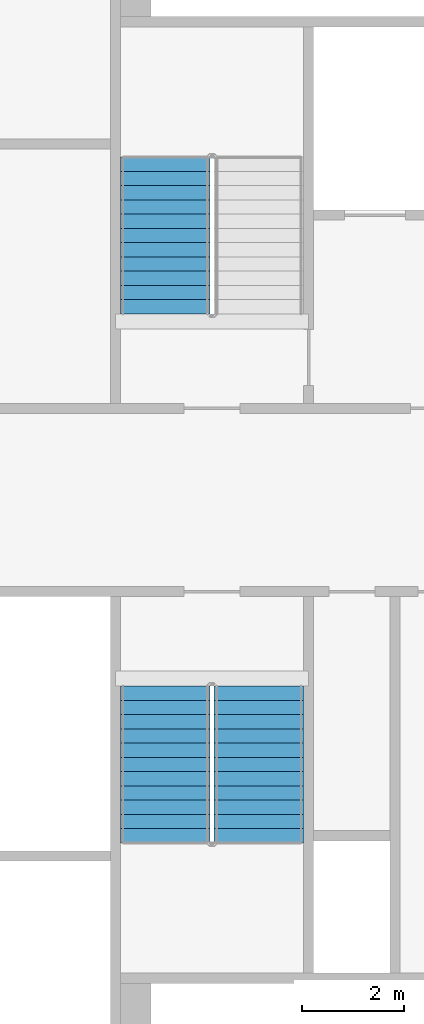
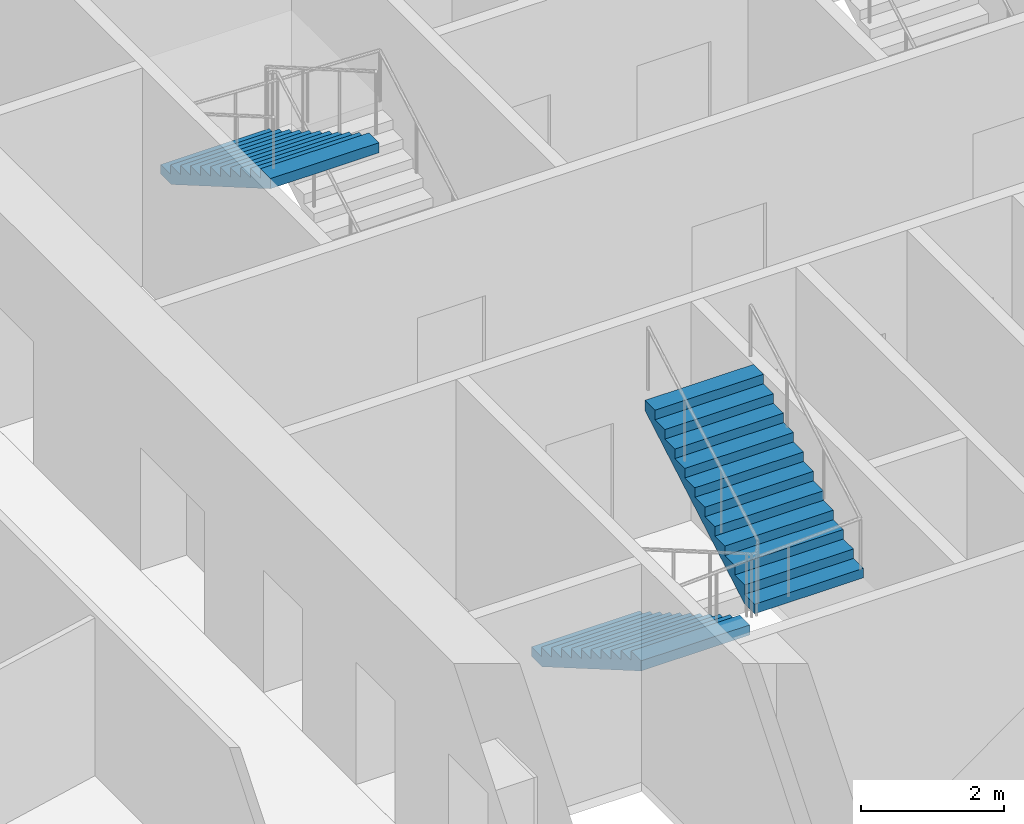
# One storey, part 8 of 16: 3 stair flights, 2 elements without a shape of their own.
"""IFC4 building model written with IfcOpenShell, lengths in metres."""

from ifc_helpers import new_model, si_unit, direction, frame, origin, place, context, subcontext, project, spatial, faceted_brep, material, type_object, element, aggregate, save


model = new_model("IFC4")

# Units and contexts
model_context = context("Model", 3, precision=1e-05, world=origin(), true_north=direction((0.0, 1.0)))
body_context = subcontext(model_context, "Body", "Model", "MODEL_VIEW")
ifc_project = project(units=[si_unit("LENGTHUNIT", "METRE"), si_unit("AREAUNIT", "SQUARE_METRE"), si_unit("VOLUMEUNIT", "CUBIC_METRE"), si_unit("PLANEANGLEUNIT", "RADIAN"), si_unit("MASSUNIT", "GRAM", prefix="KILO")], contexts=[model_context])

# Site, building, storey
site_placement = place(None, origin())
site = spatial("IfcSite", under=ifc_project, at=site_placement, CompositionType="ELEMENT")
building_placement = place(site_placement, origin())
building = spatial("IfcBuilding", under=site, at=building_placement, Name="Tarsis Ring Headquarters", CompositionType="ELEMENT")
storey_placement = place(building_placement, frame((0.0, 0.0, 112.300048828125)))
storey = spatial("IfcBuildingStorey", under=building, at=storey_placement, Name="L25", CompositionType="ELEMENT", Elevation=112.300048828125)

# Stair, stair flight
ifc_material_1 = material(Name="Core stair 1760")
stair_type = type_object("IfcStairType", Name="Core stair 1760", PredefinedType="HALF_TURN_STAIR", material=ifc_material_1)
stair_1_placement = place(storey_placement, origin())
stair_1 = element("IfcStair", 1, at=stair_1_placement, inside=storey, type_object=stair_type, Name="L25 Firefighting stair", PredefinedType="HALF_TURN_STAIR")
ifc_material_2 = material(Name="Concrete C40/50", Category="concrete")
stair_flight_type = type_object("IfcStairFlightType", Name="Core stair flight 1760", PredefinedType="STRAIGHT", material=ifc_material_2)
stair_flight_1_placement = place(storey_placement, frame((-5.419921875, 6.739990234375, 1.949951171875), z_axis=(0.0, 0.0, 1.0), x_axis=(0.0, -1.0, 0.0)))
stair_flight_1 = element("IfcStairFlight", 2, at=stair_flight_1_placement, type_object=stair_flight_type, Name="Stair ST1 flight 2", NumberOfRisers=12, NumberOfTreads=11, PredefinedType="STRAIGHT", RiserHeight=0.1625, TreadLength=0.28, context=body_context, shape_type="Brep", body=[
    faceted_brep([(0.0, 0.8798828125, 0.0), (0.0, 0.8798828125, 0.16259765625), (0.280029296875, 0.8798828125, 0.16259765625), (0.280029296875, 0.8798828125, 0.324951171875), (0.56005859375, 0.8798828125, 0.324951171875), (0.56005859375, 0.8798828125, 0.487548828125), (0.840087890625, 0.8798828125, 0.487548828125), (0.840087890625, 0.8798828125, 0.64990234375), (1.1201171875, 0.8798828125, 0.64990234375), (1.1201171875, 0.8798828125, 0.8125), (1.39990234375, 0.8798828125, 0.8125), (1.39990234375, 0.8798828125, 0.97509765625), (1.679931640625, 0.8798828125, 0.97509765625), (1.679931640625, 0.8798828125, 1.137451171875), (1.9599609375, 0.8798828125, 1.137451171875), (1.9599609375, 0.8798828125, 1.300048828125), (2.239990234375, 0.8798828125, 1.300048828125), (2.239990234375, 0.8798828125, 1.46240234375), (2.52001953125, 0.8798828125, 1.46240234375), (2.52001953125, 0.8798828125, 1.625), (2.800048828125, 0.8798828125, 1.625), (2.800048828125, 0.8798828125, 1.78759765625), (3.080078125, 0.8798828125, 1.78759765625), (3.080078125, 0.8798828125, 1.6142578125), (0.298583984375, 0.8798828125, 0.0), (0.298583984375, -0.8798828125, 0.0), (3.080078125, -0.8798828125, 1.6142578125), (3.080078125, -0.8798828125, 1.78759765625), (2.800048828125, -0.8798828125, 1.78759765625), (2.800048828125, -0.8798828125, 1.625), (2.52001953125, -0.8798828125, 1.625), (2.52001953125, -0.8798828125, 1.46240234375), (2.239990234375, -0.8798828125, 1.46240234375), (2.239990234375, -0.8798828125, 1.300048828125), (1.9599609375, -0.8798828125, 1.300048828125), (1.9599609375, -0.8798828125, 1.137451171875), (1.679931640625, -0.8798828125, 1.137451171875), (1.679931640625, -0.8798828125, 0.97509765625), (1.39990234375, -0.8798828125, 0.97509765625), (1.39990234375, -0.8798828125, 0.8125), (1.1201171875, -0.8798828125, 0.8125), (1.1201171875, -0.8798828125, 0.64990234375), (0.840087890625, -0.8798828125, 0.64990234375), (0.840087890625, -0.8798828125, 0.487548828125), (0.56005859375, -0.8798828125, 0.487548828125), (0.56005859375, -0.8798828125, 0.324951171875), (0.280029296875, -0.8798828125, 0.324951171875), (0.280029296875, -0.8798828125, 0.16259765625), (0.0, -0.8798828125, 0.16259765625), (0.0, -0.8798828125, 0.0), (0.0, -0.43994140625, 0.16259765625), (0.0, -0.43994140625, 0.0), (0.0, 0.0, 0.16259765625), (0.0, 0.0, 0.0), (0.0, 0.43994140625, 0.16259765625), (0.0, 0.43994140625, 0.0), (0.280029296875, -0.43994140625, 0.16259765625), (0.280029296875, 0.0, 0.16259765625), (0.280029296875, 0.43994140625, 0.16259765625), (0.280029296875, -0.43994140625, 0.324951171875), (0.280029296875, 0.0, 0.324951171875), (0.280029296875, 0.43994140625, 0.324951171875), (0.56005859375, -0.43994140625, 0.324951171875), (0.56005859375, 0.0, 0.324951171875), (0.56005859375, 0.43994140625, 0.324951171875), (0.56005859375, -0.43994140625, 0.487548828125), (0.56005859375, 0.0, 0.487548828125), (0.56005859375, 0.43994140625, 0.487548828125), (0.840087890625, -0.43994140625, 0.487548828125), (0.840087890625, 0.0, 0.487548828125), (0.840087890625, 0.43994140625, 0.487548828125), (0.840087890625, -0.43994140625, 0.64990234375), (0.840087890625, 0.0, 0.64990234375), (0.840087890625, 0.43994140625, 0.64990234375), (1.1201171875, -0.43994140625, 0.64990234375), (1.1201171875, 0.0, 0.64990234375), (1.1201171875, 0.43994140625, 0.64990234375), (1.1201171875, -0.43994140625, 0.8125), (1.1201171875, 0.0, 0.8125), (1.1201171875, 0.43994140625, 0.8125), (1.39990234375, -0.43994140625, 0.8125), (1.39990234375, 0.0, 0.8125), (1.39990234375, 0.43994140625, 0.8125), (1.39990234375, -0.43994140625, 0.97509765625), (1.39990234375, 0.0, 0.97509765625), (1.39990234375, 0.43994140625, 0.97509765625), (1.679931640625, -0.43994140625, 0.97509765625), (1.679931640625, 0.0, 0.97509765625), (1.679931640625, 0.43994140625, 0.97509765625), (1.679931640625, -0.43994140625, 1.137451171875), (1.679931640625, 0.0, 1.137451171875), (1.679931640625, 0.43994140625, 1.137451171875), (1.9599609375, -0.43994140625, 1.137451171875), (1.9599609375, 0.0, 1.137451171875), (1.9599609375, 0.43994140625, 1.137451171875), (1.9599609375, -0.43994140625, 1.300048828125), (1.9599609375, 0.0, 1.300048828125), (1.9599609375, 0.43994140625, 1.300048828125), (2.239990234375, -0.43994140625, 1.300048828125), (2.239990234375, 0.0, 1.300048828125), (2.239990234375, 0.43994140625, 1.300048828125), (2.239990234375, -0.43994140625, 1.46240234375), (2.239990234375, 0.0, 1.46240234375), (2.239990234375, 0.43994140625, 1.46240234375), (2.52001953125, -0.43994140625, 1.46240234375), (2.52001953125, 0.0, 1.46240234375), (2.52001953125, 0.43994140625, 1.46240234375), (2.52001953125, -0.43994140625, 1.625), (2.52001953125, 0.0, 1.625), (2.52001953125, 0.43994140625, 1.625), (2.800048828125, -0.43994140625, 1.625), (2.800048828125, 0.0, 1.625), (2.800048828125, 0.43994140625, 1.625), (2.800048828125, -0.43994140625, 1.78759765625), (2.800048828125, 0.0, 1.78759765625), (2.800048828125, 0.43994140625, 1.78759765625), (3.080078125, -0.43994140625, 1.78759765625), (3.080078125, 0.0, 1.78759765625), (3.080078125, 0.43994140625, 1.78759765625), (3.080078125, -0.43994140625, 1.6142578125), (3.080078125, 0.0, 1.6142578125), (3.080078125, 0.43994140625, 1.6142578125), (0.298583984375, -0.43994140625, 0.0), (0.298583984375, 0.0, 0.0), (0.298583984375, 0.43994140625, 0.0)], [[[0, 1, 2, 3, 4, 5, 6, 7, 8, 9, 10, 11, 12, 13, 14, 15, 16, 17, 18, 19, 20, 21, 22, 23, 24]], [[25, 26, 27, 28, 29, 30, 31, 32, 33, 34, 35, 36, 37, 38, 39, 40, 41, 42, 43, 44, 45, 46, 47, 48, 49]], [[49, 48, 50, 51]], [[51, 50, 52, 53]], [[53, 52, 54, 55]], [[55, 54, 1, 0]], [[48, 47, 56, 50]], [[50, 56, 57, 52]], [[52, 57, 58, 54]], [[54, 58, 2, 1]], [[47, 46, 59, 56]], [[56, 59, 60, 57]], [[57, 60, 61, 58]], [[58, 61, 3, 2]], [[46, 45, 62, 59]], [[59, 62, 63, 60]], [[60, 63, 64, 61]], [[61, 64, 4, 3]], [[45, 44, 65, 62]], [[62, 65, 66, 63]], [[63, 66, 67, 64]], [[64, 67, 5, 4]], [[44, 43, 68, 65]], [[65, 68, 69, 66]], [[66, 69, 70, 67]], [[67, 70, 6, 5]], [[43, 42, 71, 68]], [[68, 71, 72, 69]], [[69, 72, 73, 70]], [[70, 73, 7, 6]], [[42, 41, 74, 71]], [[71, 74, 75, 72]], [[72, 75, 76, 73]], [[73, 76, 8, 7]], [[41, 40, 77, 74]], [[74, 77, 78, 75]], [[75, 78, 79, 76]], [[76, 79, 9, 8]], [[40, 39, 80, 77]], [[77, 80, 81, 78]], [[78, 81, 82, 79]], [[79, 82, 10, 9]], [[39, 38, 83, 80]], [[80, 83, 84, 81]], [[81, 84, 85, 82]], [[82, 85, 11, 10]], [[38, 37, 86, 83]], [[83, 86, 87, 84]], [[84, 87, 88, 85]], [[85, 88, 12, 11]], [[37, 36, 89, 86]], [[86, 89, 90, 87]], [[87, 90, 91, 88]], [[88, 91, 13, 12]], [[36, 35, 92, 89]], [[89, 92, 93, 90]], [[90, 93, 94, 91]], [[91, 94, 14, 13]], [[35, 34, 95, 92]], [[92, 95, 96, 93]], [[93, 96, 97, 94]], [[94, 97, 15, 14]], [[34, 33, 98, 95]], [[95, 98, 99, 96]], [[96, 99, 100, 97]], [[97, 100, 16, 15]], [[33, 32, 101, 98]], [[98, 101, 102, 99]], [[99, 102, 103, 100]], [[100, 103, 17, 16]], [[32, 31, 104, 101]], [[101, 104, 105, 102]], [[102, 105, 106, 103]], [[103, 106, 18, 17]], [[31, 30, 107, 104]], [[104, 107, 108, 105]], [[105, 108, 109, 106]], [[106, 109, 19, 18]], [[30, 29, 110, 107]], [[107, 110, 111, 108]], [[108, 111, 112, 109]], [[109, 112, 20, 19]], [[29, 28, 113, 110]], [[110, 113, 114, 111]], [[111, 114, 115, 112]], [[112, 115, 21, 20]], [[28, 27, 116, 113]], [[113, 116, 117, 114]], [[114, 117, 118, 115]], [[115, 118, 22, 21]], [[27, 26, 119, 116]], [[116, 119, 120, 117]], [[117, 120, 121, 118]], [[118, 121, 23, 22]], [[26, 25, 122, 119]], [[119, 122, 123, 120]], [[120, 123, 124, 121]], [[121, 124, 24, 23]], [[25, 49, 51, 122]], [[122, 51, 53, 123]], [[123, 53, 55, 124]], [[124, 55, 0, 24]]]),
])
aggregate(stair_1, [stair_flight_1])

# Stair, stair flights
stair_2_placement = place(storey_placement, origin())
stair_2 = element("IfcStair", 3, at=stair_2_placement, inside=storey, type_object=stair_type, Name="L25 Exit stair C", PredefinedType="HALF_TURN_STAIR")
stair_flight_2_placement = place(storey_placement, frame((-5.419921875, -3.659912109375, 0.0), z_axis=(0.0, 0.0, 1.0), x_axis=(0.0, -1.0, 0.0)))
stair_flight_2 = element("IfcStairFlight", 4, at=stair_flight_2_placement, type_object=stair_flight_type, Name="Stair ST3 flight 1", NumberOfRisers=12, NumberOfTreads=11, PredefinedType="STRAIGHT", RiserHeight=0.1625, TreadLength=0.28, context=body_context, shape_type="Brep", body=[
    faceted_brep([(0.0, 0.8798828125, 0.0), (0.0, 0.8798828125, 0.16259765625), (0.280029296875, 0.8798828125, 0.16259765625), (0.280029296875, 0.8798828125, 0.324951171875), (0.56005859375, 0.8798828125, 0.324951171875), (0.56005859375, 0.8798828125, 0.487548828125), (0.840087890625, 0.8798828125, 0.487548828125), (0.840087890625, 0.8798828125, 0.64990234375), (1.1201171875, 0.8798828125, 0.64990234375), (1.1201171875, 0.8798828125, 0.8125), (1.39990234375, 0.8798828125, 0.8125), (1.39990234375, 0.8798828125, 0.97509765625), (1.679931640625, 0.8798828125, 0.97509765625), (1.679931640625, 0.8798828125, 1.137451171875), (1.9599609375, 0.8798828125, 1.137451171875), (1.9599609375, 0.8798828125, 1.300048828125), (2.239990234375, 0.8798828125, 1.300048828125), (2.239990234375, 0.8798828125, 1.46240234375), (2.52001953125, 0.8798828125, 1.46240234375), (2.52001953125, 0.8798828125, 1.625), (2.800048828125, 0.8798828125, 1.625), (2.800048828125, 0.8798828125, 1.78759765625), (3.080078125, 0.8798828125, 1.78759765625), (3.080078125, 0.8798828125, 1.6142578125), (0.298583984375, 0.8798828125, 0.0), (0.298583984375, -0.8798828125, 0.0), (3.080078125, -0.8798828125, 1.6142578125), (3.080078125, -0.8798828125, 1.78759765625), (2.800048828125, -0.8798828125, 1.78759765625), (2.800048828125, -0.8798828125, 1.625), (2.52001953125, -0.8798828125, 1.625), (2.52001953125, -0.8798828125, 1.46240234375), (2.239990234375, -0.8798828125, 1.46240234375), (2.239990234375, -0.8798828125, 1.300048828125), (1.9599609375, -0.8798828125, 1.300048828125), (1.9599609375, -0.8798828125, 1.137451171875), (1.679931640625, -0.8798828125, 1.137451171875), (1.679931640625, -0.8798828125, 0.97509765625), (1.39990234375, -0.8798828125, 0.97509765625), (1.39990234375, -0.8798828125, 0.8125), (1.1201171875, -0.8798828125, 0.8125), (1.1201171875, -0.8798828125, 0.64990234375), (0.840087890625, -0.8798828125, 0.64990234375), (0.840087890625, -0.8798828125, 0.487548828125), (0.56005859375, -0.8798828125, 0.487548828125), (0.56005859375, -0.8798828125, 0.324951171875), (0.280029296875, -0.8798828125, 0.324951171875), (0.280029296875, -0.8798828125, 0.16259765625), (0.0, -0.8798828125, 0.16259765625), (0.0, -0.8798828125, 0.0), (0.0, -0.43994140625, 0.16259765625), (0.0, -0.43994140625, 0.0), (0.0, 0.0, 0.16259765625), (0.0, 0.0, 0.0), (0.0, 0.43994140625, 0.16259765625), (0.0, 0.43994140625, 0.0), (0.280029296875, -0.43994140625, 0.16259765625), (0.280029296875, 0.0, 0.16259765625), (0.280029296875, 0.43994140625, 0.16259765625), (0.280029296875, -0.43994140625, 0.324951171875), (0.280029296875, 0.0, 0.324951171875), (0.280029296875, 0.43994140625, 0.324951171875), (0.56005859375, -0.43994140625, 0.324951171875), (0.56005859375, 0.0, 0.324951171875), (0.56005859375, 0.43994140625, 0.324951171875), (0.56005859375, -0.43994140625, 0.487548828125), (0.56005859375, 0.0, 0.487548828125), (0.56005859375, 0.43994140625, 0.487548828125), (0.840087890625, -0.43994140625, 0.487548828125), (0.840087890625, 0.0, 0.487548828125), (0.840087890625, 0.43994140625, 0.487548828125), (0.840087890625, -0.43994140625, 0.64990234375), (0.840087890625, 0.0, 0.64990234375), (0.840087890625, 0.43994140625, 0.64990234375), (1.1201171875, -0.43994140625, 0.64990234375), (1.1201171875, 0.0, 0.64990234375), (1.1201171875, 0.43994140625, 0.64990234375), (1.1201171875, -0.43994140625, 0.8125), (1.1201171875, 0.0, 0.8125), (1.1201171875, 0.43994140625, 0.8125), (1.39990234375, -0.43994140625, 0.8125), (1.39990234375, 0.0, 0.8125), (1.39990234375, 0.43994140625, 0.8125), (1.39990234375, -0.43994140625, 0.97509765625), (1.39990234375, 0.0, 0.97509765625), (1.39990234375, 0.43994140625, 0.97509765625), (1.679931640625, -0.43994140625, 0.97509765625), (1.679931640625, 0.0, 0.97509765625), (1.679931640625, 0.43994140625, 0.97509765625), (1.679931640625, -0.43994140625, 1.137451171875), (1.679931640625, 0.0, 1.137451171875), (1.679931640625, 0.43994140625, 1.137451171875), (1.9599609375, -0.43994140625, 1.137451171875), (1.9599609375, 0.0, 1.137451171875), (1.9599609375, 0.43994140625, 1.137451171875), (1.9599609375, -0.43994140625, 1.300048828125), (1.9599609375, 0.0, 1.300048828125), (1.9599609375, 0.43994140625, 1.300048828125), (2.239990234375, -0.43994140625, 1.300048828125), (2.239990234375, 0.0, 1.300048828125), (2.239990234375, 0.43994140625, 1.300048828125), (2.239990234375, -0.43994140625, 1.46240234375), (2.239990234375, 0.0, 1.46240234375), (2.239990234375, 0.43994140625, 1.46240234375), (2.52001953125, -0.43994140625, 1.46240234375), (2.52001953125, 0.0, 1.46240234375), (2.52001953125, 0.43994140625, 1.46240234375), (2.52001953125, -0.43994140625, 1.625), (2.52001953125, 0.0, 1.625), (2.52001953125, 0.43994140625, 1.625), (2.800048828125, -0.43994140625, 1.625), (2.800048828125, 0.0, 1.625), (2.800048828125, 0.43994140625, 1.625), (2.800048828125, -0.43994140625, 1.78759765625), (2.800048828125, 0.0, 1.78759765625), (2.800048828125, 0.43994140625, 1.78759765625), (3.080078125, -0.43994140625, 1.78759765625), (3.080078125, 0.0, 1.78759765625), (3.080078125, 0.43994140625, 1.78759765625), (3.080078125, -0.43994140625, 1.6142578125), (3.080078125, 0.0, 1.6142578125), (3.080078125, 0.43994140625, 1.6142578125), (0.298583984375, -0.43994140625, 0.0), (0.298583984375, 0.0, 0.0), (0.298583984375, 0.43994140625, 0.0)], [[[0, 1, 2, 3, 4, 5, 6, 7, 8, 9, 10, 11, 12, 13, 14, 15, 16, 17, 18, 19, 20, 21, 22, 23, 24]], [[25, 26, 27, 28, 29, 30, 31, 32, 33, 34, 35, 36, 37, 38, 39, 40, 41, 42, 43, 44, 45, 46, 47, 48, 49]], [[49, 48, 50, 51]], [[51, 50, 52, 53]], [[53, 52, 54, 55]], [[55, 54, 1, 0]], [[48, 47, 56, 50]], [[50, 56, 57, 52]], [[52, 57, 58, 54]], [[54, 58, 2, 1]], [[47, 46, 59, 56]], [[56, 59, 60, 57]], [[57, 60, 61, 58]], [[58, 61, 3, 2]], [[46, 45, 62, 59]], [[59, 62, 63, 60]], [[60, 63, 64, 61]], [[61, 64, 4, 3]], [[45, 44, 65, 62]], [[62, 65, 66, 63]], [[63, 66, 67, 64]], [[64, 67, 5, 4]], [[44, 43, 68, 65]], [[65, 68, 69, 66]], [[66, 69, 70, 67]], [[67, 70, 6, 5]], [[43, 42, 71, 68]], [[68, 71, 72, 69]], [[69, 72, 73, 70]], [[70, 73, 7, 6]], [[42, 41, 74, 71]], [[71, 74, 75, 72]], [[72, 75, 76, 73]], [[73, 76, 8, 7]], [[41, 40, 77, 74]], [[74, 77, 78, 75]], [[75, 78, 79, 76]], [[76, 79, 9, 8]], [[40, 39, 80, 77]], [[77, 80, 81, 78]], [[78, 81, 82, 79]], [[79, 82, 10, 9]], [[39, 38, 83, 80]], [[80, 83, 84, 81]], [[81, 84, 85, 82]], [[82, 85, 11, 10]], [[38, 37, 86, 83]], [[83, 86, 87, 84]], [[84, 87, 88, 85]], [[85, 88, 12, 11]], [[37, 36, 89, 86]], [[86, 89, 90, 87]], [[87, 90, 91, 88]], [[88, 91, 13, 12]], [[36, 35, 92, 89]], [[89, 92, 93, 90]], [[90, 93, 94, 91]], [[91, 94, 14, 13]], [[35, 34, 95, 92]], [[92, 95, 96, 93]], [[93, 96, 97, 94]], [[94, 97, 15, 14]], [[34, 33, 98, 95]], [[95, 98, 99, 96]], [[96, 99, 100, 97]], [[97, 100, 16, 15]], [[33, 32, 101, 98]], [[98, 101, 102, 99]], [[99, 102, 103, 100]], [[100, 103, 17, 16]], [[32, 31, 104, 101]], [[101, 104, 105, 102]], [[102, 105, 106, 103]], [[103, 106, 18, 17]], [[31, 30, 107, 104]], [[104, 107, 108, 105]], [[105, 108, 109, 106]], [[106, 109, 19, 18]], [[30, 29, 110, 107]], [[107, 110, 111, 108]], [[108, 111, 112, 109]], [[109, 112, 20, 19]], [[29, 28, 113, 110]], [[110, 113, 114, 111]], [[111, 114, 115, 112]], [[112, 115, 21, 20]], [[28, 27, 116, 113]], [[113, 116, 117, 114]], [[114, 117, 118, 115]], [[115, 118, 22, 21]], [[27, 26, 119, 116]], [[116, 119, 120, 117]], [[117, 120, 121, 118]], [[118, 121, 23, 22]], [[26, 25, 122, 119]], [[119, 122, 123, 120]], [[120, 123, 124, 121]], [[121, 124, 24, 23]], [[25, 49, 51, 122]], [[122, 51, 53, 123]], [[123, 53, 55, 124]], [[124, 55, 0, 24]]]),
])
stair_flight_3_placement = place(storey_placement, frame((-3.580078125, -6.739990234375, 1.949951171875), z_axis=(0.0, 0.0, 1.0), x_axis=(0.0, 1.0, 0.0)))
stair_flight_3 = element("IfcStairFlight", 5, at=stair_flight_3_placement, type_object=stair_flight_type, Name="Stair ST3 flight 2", NumberOfRisers=12, NumberOfTreads=11, PredefinedType="STRAIGHT", RiserHeight=0.1625, TreadLength=0.28, context=body_context, shape_type="Brep", body=[
    faceted_brep([(0.0, 0.8798828125, 0.0), (0.0, 0.8798828125, 0.16259765625), (0.280029296875, 0.8798828125, 0.16259765625), (0.280029296875, 0.8798828125, 0.324951171875), (0.56005859375, 0.8798828125, 0.324951171875), (0.56005859375, 0.8798828125, 0.487548828125), (0.840087890625, 0.8798828125, 0.487548828125), (0.840087890625, 0.8798828125, 0.64990234375), (1.1201171875, 0.8798828125, 0.64990234375), (1.1201171875, 0.8798828125, 0.8125), (1.39990234375, 0.8798828125, 0.8125), (1.39990234375, 0.8798828125, 0.97509765625), (1.679931640625, 0.8798828125, 0.97509765625), (1.679931640625, 0.8798828125, 1.137451171875), (1.9599609375, 0.8798828125, 1.137451171875), (1.9599609375, 0.8798828125, 1.300048828125), (2.239990234375, 0.8798828125, 1.300048828125), (2.239990234375, 0.8798828125, 1.46240234375), (2.52001953125, 0.8798828125, 1.46240234375), (2.52001953125, 0.8798828125, 1.625), (2.800048828125, 0.8798828125, 1.625), (2.800048828125, 0.8798828125, 1.78759765625), (3.080078125, 0.8798828125, 1.78759765625), (3.080078125, 0.8798828125, 1.6142578125), (0.298583984375, 0.8798828125, 0.0), (0.298583984375, -0.8798828125, 0.0), (3.080078125, -0.8798828125, 1.6142578125), (3.080078125, -0.8798828125, 1.78759765625), (2.800048828125, -0.8798828125, 1.78759765625), (2.800048828125, -0.8798828125, 1.625), (2.52001953125, -0.8798828125, 1.625), (2.52001953125, -0.8798828125, 1.46240234375), (2.239990234375, -0.8798828125, 1.46240234375), (2.239990234375, -0.8798828125, 1.300048828125), (1.9599609375, -0.8798828125, 1.300048828125), (1.9599609375, -0.8798828125, 1.137451171875), (1.679931640625, -0.8798828125, 1.137451171875), (1.679931640625, -0.8798828125, 0.97509765625), (1.39990234375, -0.8798828125, 0.97509765625), (1.39990234375, -0.8798828125, 0.8125), (1.1201171875, -0.8798828125, 0.8125), (1.1201171875, -0.8798828125, 0.64990234375), (0.840087890625, -0.8798828125, 0.64990234375), (0.840087890625, -0.8798828125, 0.487548828125), (0.56005859375, -0.8798828125, 0.487548828125), (0.56005859375, -0.8798828125, 0.324951171875), (0.280029296875, -0.8798828125, 0.324951171875), (0.280029296875, -0.8798828125, 0.16259765625), (0.0, -0.8798828125, 0.16259765625), (0.0, -0.8798828125, 0.0), (0.0, -0.43994140625, 0.16259765625), (0.0, -0.43994140625, 0.0), (0.0, 0.0, 0.16259765625), (0.0, 0.0, 0.0), (0.0, 0.43994140625, 0.16259765625), (0.0, 0.43994140625, 0.0), (0.280029296875, -0.43994140625, 0.16259765625), (0.280029296875, 0.0, 0.16259765625), (0.280029296875, 0.43994140625, 0.16259765625), (0.280029296875, -0.43994140625, 0.324951171875), (0.280029296875, 0.0, 0.324951171875), (0.280029296875, 0.43994140625, 0.324951171875), (0.56005859375, -0.43994140625, 0.324951171875), (0.56005859375, 0.0, 0.324951171875), (0.56005859375, 0.43994140625, 0.324951171875), (0.56005859375, -0.43994140625, 0.487548828125), (0.56005859375, 0.0, 0.487548828125), (0.56005859375, 0.43994140625, 0.487548828125), (0.840087890625, -0.43994140625, 0.487548828125), (0.840087890625, 0.0, 0.487548828125), (0.840087890625, 0.43994140625, 0.487548828125), (0.840087890625, -0.43994140625, 0.64990234375), (0.840087890625, 0.0, 0.64990234375), (0.840087890625, 0.43994140625, 0.64990234375), (1.1201171875, -0.43994140625, 0.64990234375), (1.1201171875, 0.0, 0.64990234375), (1.1201171875, 0.43994140625, 0.64990234375), (1.1201171875, -0.43994140625, 0.8125), (1.1201171875, 0.0, 0.8125), (1.1201171875, 0.43994140625, 0.8125), (1.39990234375, -0.43994140625, 0.8125), (1.39990234375, 0.0, 0.8125), (1.39990234375, 0.43994140625, 0.8125), (1.39990234375, -0.43994140625, 0.97509765625), (1.39990234375, 0.0, 0.97509765625), (1.39990234375, 0.43994140625, 0.97509765625), (1.679931640625, -0.43994140625, 0.97509765625), (1.679931640625, 0.0, 0.97509765625), (1.679931640625, 0.43994140625, 0.97509765625), (1.679931640625, -0.43994140625, 1.137451171875), (1.679931640625, 0.0, 1.137451171875), (1.679931640625, 0.43994140625, 1.137451171875), (1.9599609375, -0.43994140625, 1.137451171875), (1.9599609375, 0.0, 1.137451171875), (1.9599609375, 0.43994140625, 1.137451171875), (1.9599609375, -0.43994140625, 1.300048828125), (1.9599609375, 0.0, 1.300048828125), (1.9599609375, 0.43994140625, 1.300048828125), (2.239990234375, -0.43994140625, 1.300048828125), (2.239990234375, 0.0, 1.300048828125), (2.239990234375, 0.43994140625, 1.300048828125), (2.239990234375, -0.43994140625, 1.46240234375), (2.239990234375, 0.0, 1.46240234375), (2.239990234375, 0.43994140625, 1.46240234375), (2.52001953125, -0.43994140625, 1.46240234375), (2.52001953125, 0.0, 1.46240234375), (2.52001953125, 0.43994140625, 1.46240234375), (2.52001953125, -0.43994140625, 1.625), (2.52001953125, 0.0, 1.625), (2.52001953125, 0.43994140625, 1.625), (2.800048828125, -0.43994140625, 1.625), (2.800048828125, 0.0, 1.625), (2.800048828125, 0.43994140625, 1.625), (2.800048828125, -0.43994140625, 1.78759765625), (2.800048828125, 0.0, 1.78759765625), (2.800048828125, 0.43994140625, 1.78759765625), (3.080078125, -0.43994140625, 1.78759765625), (3.080078125, 0.0, 1.78759765625), (3.080078125, 0.43994140625, 1.78759765625), (3.080078125, -0.43994140625, 1.6142578125), (3.080078125, 0.0, 1.6142578125), (3.080078125, 0.43994140625, 1.6142578125), (0.298583984375, -0.43994140625, 0.0), (0.298583984375, 0.0, 0.0), (0.298583984375, 0.43994140625, 0.0)], [[[0, 1, 2, 3, 4, 5, 6, 7, 8, 9, 10, 11, 12, 13, 14, 15, 16, 17, 18, 19, 20, 21, 22, 23, 24]], [[25, 26, 27, 28, 29, 30, 31, 32, 33, 34, 35, 36, 37, 38, 39, 40, 41, 42, 43, 44, 45, 46, 47, 48, 49]], [[49, 48, 50, 51]], [[51, 50, 52, 53]], [[53, 52, 54, 55]], [[55, 54, 1, 0]], [[48, 47, 56, 50]], [[50, 56, 57, 52]], [[52, 57, 58, 54]], [[54, 58, 2, 1]], [[47, 46, 59, 56]], [[56, 59, 60, 57]], [[57, 60, 61, 58]], [[58, 61, 3, 2]], [[46, 45, 62, 59]], [[59, 62, 63, 60]], [[60, 63, 64, 61]], [[61, 64, 4, 3]], [[45, 44, 65, 62]], [[62, 65, 66, 63]], [[63, 66, 67, 64]], [[64, 67, 5, 4]], [[44, 43, 68, 65]], [[65, 68, 69, 66]], [[66, 69, 70, 67]], [[67, 70, 6, 5]], [[43, 42, 71, 68]], [[68, 71, 72, 69]], [[69, 72, 73, 70]], [[70, 73, 7, 6]], [[42, 41, 74, 71]], [[71, 74, 75, 72]], [[72, 75, 76, 73]], [[73, 76, 8, 7]], [[41, 40, 77, 74]], [[74, 77, 78, 75]], [[75, 78, 79, 76]], [[76, 79, 9, 8]], [[40, 39, 80, 77]], [[77, 80, 81, 78]], [[78, 81, 82, 79]], [[79, 82, 10, 9]], [[39, 38, 83, 80]], [[80, 83, 84, 81]], [[81, 84, 85, 82]], [[82, 85, 11, 10]], [[38, 37, 86, 83]], [[83, 86, 87, 84]], [[84, 87, 88, 85]], [[85, 88, 12, 11]], [[37, 36, 89, 86]], [[86, 89, 90, 87]], [[87, 90, 91, 88]], [[88, 91, 13, 12]], [[36, 35, 92, 89]], [[89, 92, 93, 90]], [[90, 93, 94, 91]], [[91, 94, 14, 13]], [[35, 34, 95, 92]], [[92, 95, 96, 93]], [[93, 96, 97, 94]], [[94, 97, 15, 14]], [[34, 33, 98, 95]], [[95, 98, 99, 96]], [[96, 99, 100, 97]], [[97, 100, 16, 15]], [[33, 32, 101, 98]], [[98, 101, 102, 99]], [[99, 102, 103, 100]], [[100, 103, 17, 16]], [[32, 31, 104, 101]], [[101, 104, 105, 102]], [[102, 105, 106, 103]], [[103, 106, 18, 17]], [[31, 30, 107, 104]], [[104, 107, 108, 105]], [[105, 108, 109, 106]], [[106, 109, 19, 18]], [[30, 29, 110, 107]], [[107, 110, 111, 108]], [[108, 111, 112, 109]], [[109, 112, 20, 19]], [[29, 28, 113, 110]], [[110, 113, 114, 111]], [[111, 114, 115, 112]], [[112, 115, 21, 20]], [[28, 27, 116, 113]], [[113, 116, 117, 114]], [[114, 117, 118, 115]], [[115, 118, 22, 21]], [[27, 26, 119, 116]], [[116, 119, 120, 117]], [[117, 120, 121, 118]], [[118, 121, 23, 22]], [[26, 25, 122, 119]], [[119, 122, 123, 120]], [[120, 123, 124, 121]], [[121, 124, 24, 23]], [[25, 49, 51, 122]], [[122, 51, 53, 123]], [[123, 53, 55, 124]], [[124, 55, 0, 24]]]),
])
aggregate(stair_2, [stair_flight_2, stair_flight_3])

save(model, "model.ifc")
